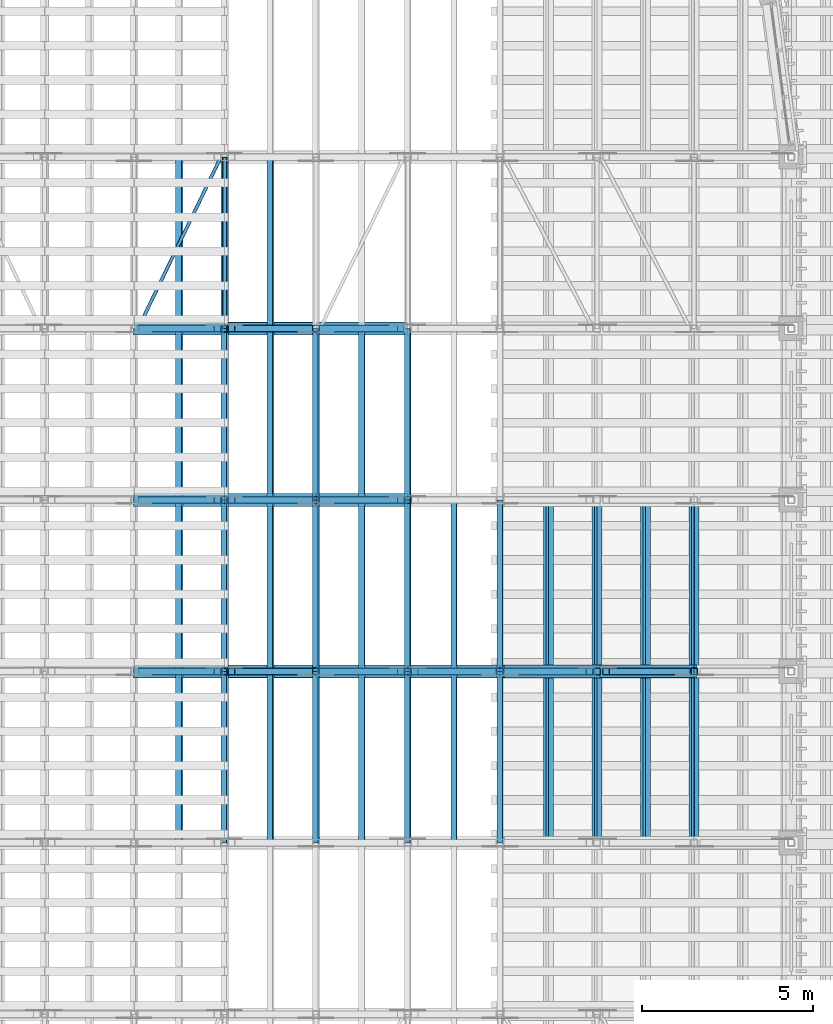
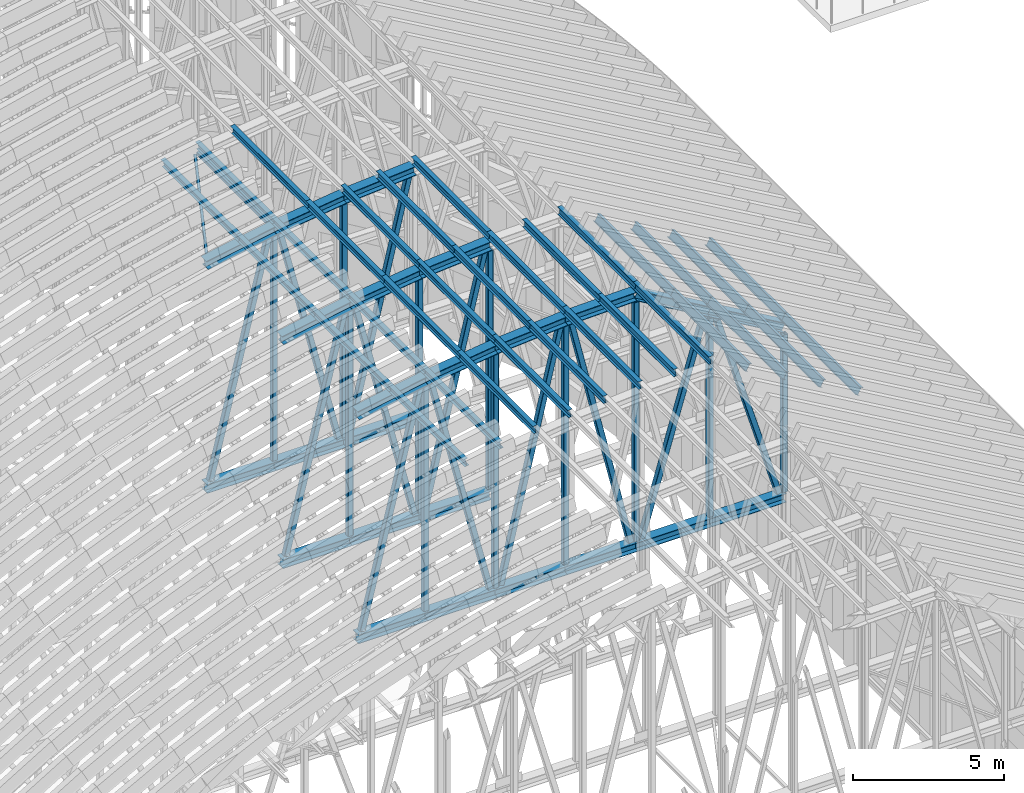
# One storey, part 23 of 105: 82 members.
"""IFC4 building model written with IfcOpenShell, lengths in metres."""

from ifc_helpers import new_model, si_unit, direction, frame, origin, origin_2d, place, context, subcontext, project, spatial, hollow_rectangle, i_section, extrude, material, material_profile, profile_set, type_object, element, save


model = new_model("IFC4")

# Units and contexts
model_context = context("Model", 3, precision=1e-05, world=origin(), true_north=direction((0.0, 1.0)))
body_context = subcontext(model_context, "Body", "Model", "MODEL_VIEW")
ifc_project = project(units=[si_unit("LENGTHUNIT", "METRE"), si_unit("AREAUNIT", "SQUARE_METRE"), si_unit("VOLUMEUNIT", "CUBIC_METRE"), si_unit("PLANEANGLEUNIT", "RADIAN"), si_unit("MASSUNIT", "GRAM", prefix="KILO")], contexts=[model_context])

# Site, building, storey
site_placement = place(None, origin())
site = spatial("IfcSite", under=ifc_project, at=site_placement, CompositionType="ELEMENT")
building_placement = place(site_placement, origin())
building = spatial("IfcBuilding", under=site, at=building_placement, Name="Wasatch Bagh Community Centre", CompositionType="ELEMENT")
storey_placement = place(building_placement, frame((0.0, 0.0, 16.800048828125)))
storey = spatial("IfcBuildingStorey", under=building, at=storey_placement, Name="L04", CompositionType="ELEMENT", Elevation=16.800048828125)

# Members
ifc_material_1 = material(Name="ASTM A500 Grade C steel", Category="steel")
ifc_material_profile_1 = material_profile(ifc_material_1, hollow_rectangle(XDim=0.1015625, YDim=0.1015625, WallThickness=0.005859375, InnerFilletRadius=0.005859375, OuterFilletRadius=0.01171875, at=origin_2d()), Name="HSS4x4x1/4")
ifc_profile_set_1 = profile_set([ifc_material_profile_1], Name="ASTM A500 Grade C steel")
member_type_1 = type_object("IfcMemberType", Name="HSS4x4x1/4 brace", PredefinedType="BRACE", material=ifc_profile_set_1)
member_1_placement = place(storey_placement, frame((35.712890625, 60.031005859375, 16.929931640625), z_axis=(0.433686216835, 0.897548083669, 0.079521712941), x_axis=(-0.900399528263, 0.435064006215, 0.0)))
element("IfcMember", 1, at=member_1_placement, inside=storey, type_object=member_type_1, Name="MH.TA6-TA7.RT.DG09", PredefinedType="BRACE", context=body_context, shape_type="SweptSolid", body=[
    extrude(hollow_rectangle(XDim=0.1015625, YDim=0.1015625, WallThickness=0.005859375, InnerFilletRadius=0.005859375, OuterFilletRadius=0.01171875, at=origin_2d()), origin(), (0.0, 0.0, 1.0), 5.501708984375),
])
ifc_material_profile_2 = material_profile(ifc_material_1, hollow_rectangle(XDim=0.126953125, YDim=0.126953125, WallThickness=0.00732421875, InnerFilletRadius=0.00732421875, OuterFilletRadius=0.0146484375, at=origin_2d()), Name="HSS5x5x5/16")
ifc_profile_set_2 = profile_set([ifc_material_profile_2], Name="ASTM A500 Grade C steel")
member_type_2 = type_object("IfcMemberType", Name="HSS5x5x5/16 strut", PredefinedType="STRUT", material=ifc_profile_set_2)
member_2_placement = place(storey_placement, frame((38.226318359375, 60.00537109375, 17.390869140625), z_axis=(0.0, 1.0, 0.0), x_axis=(-1.0, 0.0, 0.0)))
element("IfcMember", 2, at=member_2_placement, inside=storey, type_object=member_type_2, Name="MH.TA6-TA7.RT.ST09E", PredefinedType="STRUT", context=body_context, shape_type="SweptSolid", body=[
    extrude(hollow_rectangle(XDim=0.126953125, YDim=0.126953125, WallThickness=0.00732421875, InnerFilletRadius=0.00732421875, OuterFilletRadius=0.0146484375, at=origin_2d()), origin(), (0.0, 0.0, 1.0), 4.9892578125),
])
ifc_material_profile_3 = material_profile(ifc_material_1, hollow_rectangle(XDim=0.203125, YDim=0.203125, WallThickness=0.01171875, InnerFilletRadius=0.01171875, OuterFilletRadius=0.023681640625, at=origin_2d()), Name="HSS8x8x1/2")
ifc_profile_set_3 = profile_set([ifc_material_profile_3], Name="ASTM A500 Grade C steel")
member_type_3 = type_object("IfcMemberType", Name="HSS8x8x1/2 post", PredefinedType="POST", material=ifc_profile_set_3)
member_3_placement = place(storey_placement, frame((38.226318359375, 50.0, 8.070556640625), z_axis=(0.0, 0.0, 1.0), x_axis=(1.0, 0.0, 0.0)))
element("IfcMember", 3, at=member_3_placement, inside=storey, type_object=member_type_3, Name="MH.TA4.PS10", PredefinedType="POST", context=body_context, shape_type="SweptSolid", body=[
    extrude(hollow_rectangle(XDim=0.203125, YDim=0.203125, WallThickness=0.01171875, InnerFilletRadius=0.01171875, OuterFilletRadius=0.023681640625, at=origin_2d()), origin(), (0.0, 0.0, 1.0), 9.114013671875),
])
member_4_placement = place(storey_placement, frame((40.88916015625, 50.0, 8.070556640625), z_axis=(0.0, 0.0, 1.0), x_axis=(1.0, 0.0, 0.0)))
element("IfcMember", 4, at=member_4_placement, inside=storey, type_object=member_type_3, Name="MH.TA4.PS11", PredefinedType="POST", context=body_context, shape_type="SweptSolid", body=[
    extrude(hollow_rectangle(XDim=0.203125, YDim=0.203125, WallThickness=0.01171875, InnerFilletRadius=0.01171875, OuterFilletRadius=0.023681640625, at=origin_2d()), origin(), (0.0, 0.0, 1.0), 9.4677734375),
])
member_5_placement = place(storey_placement, frame((43.56591796875, 50.0, 8.070556640625), z_axis=(0.0, 0.0, 1.0), x_axis=(1.0, 0.0, 0.0)))
element("IfcMember", 5, at=member_5_placement, inside=storey, type_object=member_type_3, Name="MH.TA4.PS12", PredefinedType="POST", context=body_context, shape_type="SweptSolid", body=[
    extrude(hollow_rectangle(XDim=0.203125, YDim=0.203125, WallThickness=0.01171875, InnerFilletRadius=0.01171875, OuterFilletRadius=0.023681640625, at=origin_2d()), origin(), (0.0, 0.0, 1.0), 9.6826171875),
])
member_6_placement = place(storey_placement, frame((46.25, 50.0, 8.070556640625), z_axis=(0.0, 0.0, 1.0), x_axis=(1.0, 0.0, 0.0)))
element("IfcMember", 6, at=member_6_placement, inside=storey, type_object=member_type_3, Name="MH.TA4.PS13", PredefinedType="POST", context=body_context, shape_type="SweptSolid", body=[
    extrude(hollow_rectangle(XDim=0.203125, YDim=0.203125, WallThickness=0.01171875, InnerFilletRadius=0.01171875, OuterFilletRadius=0.023681640625, at=origin_2d()), origin(), (0.0, 0.0, 1.0), 9.64501953125),
])
member_7_placement = place(storey_placement, frame((49.083251953125, 50.0, 8.070556640625), z_axis=(0.0, 0.0, 1.0), x_axis=(1.0, 0.0, 0.0)))
element("IfcMember", 7, at=member_7_placement, inside=storey, type_object=member_type_3, Name="MH.TA4.PS14", PredefinedType="POST", context=body_context, shape_type="SweptSolid", body=[
    extrude(hollow_rectangle(XDim=0.203125, YDim=0.203125, WallThickness=0.01171875, InnerFilletRadius=0.01171875, OuterFilletRadius=0.023681640625, at=origin_2d()), origin(), (0.0, 0.0, 1.0), 8.007568359375),
])
member_8_placement = place(storey_placement, frame((51.916748046875, 50.0, 8.070556640625), z_axis=(0.0, 0.0, 1.0), x_axis=(1.0, 0.0, 0.0)))
element("IfcMember", 8, at=member_8_placement, inside=storey, type_object=member_type_3, Name="MH.TA4.PS15", PredefinedType="POST", context=body_context, shape_type="SweptSolid", body=[
    extrude(hollow_rectangle(XDim=0.203125, YDim=0.203125, WallThickness=0.01171875, InnerFilletRadius=0.01171875, OuterFilletRadius=0.023681640625, at=origin_2d()), origin(), (0.0, 0.0, 1.0), 6.34912109375),
])
member_9_placement = place(storey_placement, frame((38.226318359375, 55.0, 8.070556640625), z_axis=(0.0, 0.0, 1.0), x_axis=(1.0, 0.0, 0.0)))
element("IfcMember", 9, at=member_9_placement, inside=storey, type_object=member_type_3, Name="MH.TA5.PS10", PredefinedType="POST", context=body_context, shape_type="SweptSolid", body=[
    extrude(hollow_rectangle(XDim=0.203125, YDim=0.203125, WallThickness=0.01171875, InnerFilletRadius=0.01171875, OuterFilletRadius=0.023681640625, at=origin_2d()), origin(), (0.0, 0.0, 1.0), 9.114013671875),
])
member_10_placement = place(storey_placement, frame((40.88916015625, 55.0, 8.070556640625), z_axis=(0.0, 0.0, 1.0), x_axis=(1.0, 0.0, 0.0)))
element("IfcMember", 10, at=member_10_placement, inside=storey, type_object=member_type_3, Name="MH.TA5.PS11", PredefinedType="POST", context=body_context, shape_type="SweptSolid", body=[
    extrude(hollow_rectangle(XDim=0.203125, YDim=0.203125, WallThickness=0.01171875, InnerFilletRadius=0.01171875, OuterFilletRadius=0.023681640625, at=origin_2d()), origin(), (0.0, 0.0, 1.0), 9.4677734375),
])
member_11_placement = place(storey_placement, frame((43.56591796875, 55.0, 8.070556640625), z_axis=(0.0, 0.0, 1.0), x_axis=(1.0, 0.0, 0.0)))
element("IfcMember", 11, at=member_11_placement, inside=storey, type_object=member_type_3, Name="MH.TA5.PS12", PredefinedType="POST", context=body_context, shape_type="SweptSolid", body=[
    extrude(hollow_rectangle(XDim=0.203125, YDim=0.203125, WallThickness=0.01171875, InnerFilletRadius=0.01171875, OuterFilletRadius=0.023681640625, at=origin_2d()), origin(), (0.0, 0.0, 1.0), 9.6826171875),
])
member_12_placement = place(storey_placement, frame((38.226318359375, 60.0, 8.070556640625), z_axis=(0.0, 0.0, 1.0), x_axis=(1.0, 0.0, 0.0)))
element("IfcMember", 12, at=member_12_placement, inside=storey, type_object=member_type_3, Name="MH.TA6.PS10", PredefinedType="POST", context=body_context, shape_type="SweptSolid", body=[
    extrude(hollow_rectangle(XDim=0.203125, YDim=0.203125, WallThickness=0.01171875, InnerFilletRadius=0.01171875, OuterFilletRadius=0.023681640625, at=origin_2d()), origin(), (0.0, 0.0, 1.0), 9.114013671875),
])
member_13_placement = place(storey_placement, frame((40.88916015625, 60.0, 8.070556640625), z_axis=(0.0, 0.0, 1.0), x_axis=(1.0, 0.0, 0.0)))
element("IfcMember", 13, at=member_13_placement, inside=storey, type_object=member_type_3, Name="MH.TA6.PS11", PredefinedType="POST", context=body_context, shape_type="SweptSolid", body=[
    extrude(hollow_rectangle(XDim=0.203125, YDim=0.203125, WallThickness=0.01171875, InnerFilletRadius=0.01171875, OuterFilletRadius=0.023681640625, at=origin_2d()), origin(), (0.0, 0.0, 1.0), 9.4677734375),
])
ifc_material_profile_4 = material_profile(ifc_material_1, hollow_rectangle(XDim=0.203125, YDim=0.203125, WallThickness=0.0087890625, InnerFilletRadius=0.0087890625, OuterFilletRadius=0.017822265625, at=origin_2d()), Name="HSS8x8x3/8")
ifc_profile_set_4 = profile_set([ifc_material_profile_4], Name="ASTM A500 Grade C steel")
member_type_4 = type_object("IfcMemberType", Name="HSS8x8x3/8 brace", PredefinedType="BRACE", material=ifc_profile_set_4)
member_14_placement = place(storey_placement, frame((35.7900390625, 50.0, 8.095458984375), z_axis=(0.239060955477, 0.0, 0.971004562073), x_axis=(0.0, 1.0, 0.0)))
element("IfcMember", 14, at=member_14_placement, inside=storey, type_object=member_type_4, Name="MH.TA4.WB09", PredefinedType="BRACE", context=body_context, shape_type="SweptSolid", body=[
    extrude(hollow_rectangle(XDim=0.203125, YDim=0.203125, WallThickness=0.0087890625, InnerFilletRadius=0.0087890625, OuterFilletRadius=0.017822265625, at=origin_2d()), origin(), (0.0, 0.0, 1.0), 9.29541015625),
])
member_15_placement = place(storey_placement, frame((40.68408203125, 50.0, 8.095458984375), z_axis=(-0.239967720636, 0.0, 0.97078086768), x_axis=(0.0, -1.0, 0.0)))
element("IfcMember", 15, at=member_15_placement, inside=storey, type_object=member_type_4, Name="MH.TA4.WB10", PredefinedType="BRACE", context=body_context, shape_type="SweptSolid", body=[
    extrude(hollow_rectangle(XDim=0.203125, YDim=0.203125, WallThickness=0.0087890625, InnerFilletRadius=0.0087890625, OuterFilletRadius=0.017822265625, at=origin_2d()), origin(), (0.0, 0.0, 1.0), 9.398681640625),
])
member_16_placement = place(storey_placement, frame((41.09130859375, 50.0, 8.094482421875), z_axis=(0.229488169753, 0.0, 0.973311450638), x_axis=(0.0, 1.0, 0.0)))
element("IfcMember", 16, at=member_16_placement, inside=storey, type_object=member_type_4, Name="MH.TA4.WB11", PredefinedType="BRACE", context=body_context, shape_type="SweptSolid", body=[
    extrude(hollow_rectangle(XDim=0.203125, YDim=0.203125, WallThickness=0.0087890625, InnerFilletRadius=0.0087890625, OuterFilletRadius=0.017822265625, at=origin_2d()), origin(), (0.0, 0.0, 1.0), 9.883056640625),
])
member_17_placement = place(storey_placement, frame((46.047607421875, 50.0, 8.094482421875), z_axis=(-0.229781671389, 0.0, 0.973242201866), x_axis=(0.0, -1.0, 0.0)))
element("IfcMember", 17, at=member_17_placement, inside=storey, type_object=member_type_4, Name="MH.TA4.WB12", PredefinedType="BRACE", context=body_context, shape_type="SweptSolid", body=[
    extrude(hollow_rectangle(XDim=0.203125, YDim=0.203125, WallThickness=0.0087890625, InnerFilletRadius=0.0087890625, OuterFilletRadius=0.017822265625, at=origin_2d()), origin(), (0.0, 0.0, 1.0), 9.916259765625),
])
member_18_placement = place(storey_placement, frame((46.466796875, 50.0, 8.099853515625), z_axis=(0.28291893223, 0.0, 0.959143825391), x_axis=(0.0, 1.0, 0.0)))
element("IfcMember", 18, at=member_18_placement, inside=storey, type_object=member_type_4, Name="MH.TA4.WB13", PredefinedType="BRACE", context=body_context, shape_type="SweptSolid", body=[
    extrude(hollow_rectangle(XDim=0.203125, YDim=0.203125, WallThickness=0.0087890625, InnerFilletRadius=0.0087890625, OuterFilletRadius=0.017822265625, at=origin_2d()), origin(), (0.0, 0.0, 1.0), 8.481689453125),
])
member_19_placement = place(storey_placement, frame((51.698486328125, 50.0, 8.100341796875), z_axis=(-0.28855246331, 0.0, 0.957464085967), x_axis=(0.0, -1.0, 0.0)))
element("IfcMember", 19, at=member_19_placement, inside=storey, type_object=member_type_4, Name="MH.TA4.WB14", PredefinedType="BRACE", context=body_context, shape_type="SweptSolid", body=[
    extrude(hollow_rectangle(XDim=0.203125, YDim=0.203125, WallThickness=0.0087890625, InnerFilletRadius=0.0087890625, OuterFilletRadius=0.017822265625, at=origin_2d()), origin(), (0.0, 0.0, 1.0), 8.142822265625),
])
member_20_placement = place(storey_placement, frame((35.7900390625, 55.0, 8.095458984375), z_axis=(0.239060955477, 0.0, 0.971004562073), x_axis=(0.0, 1.0, 0.0)))
element("IfcMember", 20, at=member_20_placement, inside=storey, type_object=member_type_4, Name="MH.TA5.WB09", PredefinedType="BRACE", context=body_context, shape_type="SweptSolid", body=[
    extrude(hollow_rectangle(XDim=0.203125, YDim=0.203125, WallThickness=0.0087890625, InnerFilletRadius=0.0087890625, OuterFilletRadius=0.017822265625, at=origin_2d()), origin(), (0.0, 0.0, 1.0), 9.29541015625),
])
member_21_placement = place(storey_placement, frame((40.68408203125, 55.0, 8.095458984375), z_axis=(-0.239967720636, 0.0, 0.97078086768), x_axis=(0.0, -1.0, 0.0)))
element("IfcMember", 21, at=member_21_placement, inside=storey, type_object=member_type_4, Name="MH.TA5.WB10", PredefinedType="BRACE", context=body_context, shape_type="SweptSolid", body=[
    extrude(hollow_rectangle(XDim=0.203125, YDim=0.203125, WallThickness=0.0087890625, InnerFilletRadius=0.0087890625, OuterFilletRadius=0.017822265625, at=origin_2d()), origin(), (0.0, 0.0, 1.0), 9.398681640625),
])
member_22_placement = place(storey_placement, frame((41.09130859375, 55.0, 8.094482421875), z_axis=(0.229488169753, 0.0, 0.973311450638), x_axis=(0.0, 1.0, 0.0)))
element("IfcMember", 22, at=member_22_placement, inside=storey, type_object=member_type_4, Name="MH.TA5.WB11", PredefinedType="BRACE", context=body_context, shape_type="SweptSolid", body=[
    extrude(hollow_rectangle(XDim=0.203125, YDim=0.203125, WallThickness=0.0087890625, InnerFilletRadius=0.0087890625, OuterFilletRadius=0.017822265625, at=origin_2d()), origin(), (0.0, 0.0, 1.0), 9.883056640625),
])
member_23_placement = place(storey_placement, frame((35.7900390625, 60.0, 8.095458984375), z_axis=(0.239060955477, 0.0, 0.971004562073), x_axis=(0.0, 1.0, 0.0)))
element("IfcMember", 23, at=member_23_placement, inside=storey, type_object=member_type_4, Name="MH.TA6.WB09", PredefinedType="BRACE", context=body_context, shape_type="SweptSolid", body=[
    extrude(hollow_rectangle(XDim=0.203125, YDim=0.203125, WallThickness=0.0087890625, InnerFilletRadius=0.0087890625, OuterFilletRadius=0.017822265625, at=origin_2d()), origin(), (0.0, 0.0, 1.0), 9.29541015625),
])
member_24_placement = place(storey_placement, frame((40.68408203125, 60.0, 8.095458984375), z_axis=(-0.239967720636, 0.0, 0.97078086768), x_axis=(0.0, -1.0, 0.0)))
element("IfcMember", 24, at=member_24_placement, inside=storey, type_object=member_type_4, Name="MH.TA6.WB10", PredefinedType="BRACE", context=body_context, shape_type="SweptSolid", body=[
    extrude(hollow_rectangle(XDim=0.203125, YDim=0.203125, WallThickness=0.0087890625, InnerFilletRadius=0.0087890625, OuterFilletRadius=0.017822265625, at=origin_2d()), origin(), (0.0, 0.0, 1.0), 9.398681640625),
])
member_25_placement = place(storey_placement, frame((41.09130859375, 60.0, 8.094482421875), z_axis=(0.229488169753, 0.0, 0.973311450638), x_axis=(0.0, 1.0, 0.0)))
element("IfcMember", 25, at=member_25_placement, inside=storey, type_object=member_type_4, Name="MH.TA6.WB11", PredefinedType="BRACE", context=body_context, shape_type="SweptSolid", body=[
    extrude(hollow_rectangle(XDim=0.203125, YDim=0.203125, WallThickness=0.0087890625, InnerFilletRadius=0.0087890625, OuterFilletRadius=0.017822265625, at=origin_2d()), origin(), (0.0, 0.0, 1.0), 9.883056640625),
])
ifc_material_2 = material(Name="ASTM A992 Grade 50 steel", Category="steel")
ifc_material_profile_5 = material_profile(ifc_material_2, i_section(OverallWidth=0.164794921875, OverallDepth=0.309814453125, WebThickness=0.005859375, FlangeThickness=0.009765625, at=origin_2d()), Name="W12x26")
ifc_profile_set_5 = profile_set([ifc_material_profile_5], Name="ASTM A992 Grade 50 steel")
member_type_5 = type_object("IfcMemberType", Name="W12x26 purlin", PredefinedType="PURLIN", material=ifc_profile_set_5)
for number, where, z_axis, x_axis, name in (
    (26, (36.90576171875, 45.0, 17.493408203125), (0.0, 1.0, 0.0), (-0.983711293114, 0.0, -0.179755644695), "MH.TA3-TA4.PU19"),
    (27, (38.226318359375, 45.0, 17.734619140625), (0.0, 1.0, 0.0), (-0.983711293114, 0.0, -0.179755644695), "MH.TA3-TA4.PU20"),
    (28, (39.5576171875, 45.0, 17.90625), (0.0, 1.0, 0.0), (-0.991678342395, 0.0, -0.12874030148), "MH.TA3-TA4.PU21"),
    (29, (40.88916015625, 45.0, 18.0791015625), (0.0, 1.0, 0.0), (-0.991678342395, 0.0, -0.12874030148), "MH.TA3-TA4.PU22"),
    (30, (42.2275390625, 45.0, 18.18212890625), (0.0, 1.0, 0.0), (-0.997001538098, 0.0, -0.077381735761), "MH.TA3-TA4.PU23"),
    (31, (43.56591796875, 45.0, 18.2861328125), (0.0, 1.0, 0.0), (-0.997001538098, 0.0, -0.077381735761), "MH.TA3-TA4.PU24"),
    (32, (44.907958984375, 45.0, 18.3203125), (0.0, 1.0, 0.0), (-0.999666689368, 0.0, -0.025816858198), "MH.TA3-TA4.PU25"),
    (33, (46.25, 45.0, 18.35498046875), (0.0, 1.0, 0.0), (-0.999666689368, 0.0, -0.025816858198), "MH.TA3-TA4.PU26"),
    (34, (47.666748046875, 45.0, 17.56103515625), (0.0, 1.0, 0.0), (-0.866025403784, 0.0, 0.5), "MH.TA3-TA4.PU27"),
    (35, (49.083251953125, 45.0, 16.742919921875), (0.0, 1.0, 0.0), (-0.866025403784, 0.0, 0.5), "MH.TA3-TA4.PU28"),
    (36, (50.5, 45.0, 15.925048828125), (0.0, 1.0, 0.0), (-0.866025403784, 0.0, 0.5), "MH.TA3-TA4.PU29"),
    (37, (51.916748046875, 45.0, 15.107177734375), (0.0, 1.0, 0.0), (-0.866025403784, 0.0, 0.5), "MH.TA3-TA4.PU30"),
    (38, (36.90576171875, 50.0, 17.493408203125), (0.0, 1.0, 0.0), (-0.983711293114, 0.0, -0.179755644695), "MH.TA4-TA5.PU19"),
    (39, (38.226318359375, 50.0, 17.734619140625), (0.0, 1.0, 0.0), (-0.983711293114, 0.0, -0.179755644695), "MH.TA4-TA5.PU20"),
    (40, (39.5576171875, 50.0, 17.90625), (0.0, 1.0, 0.0), (-0.991678342395, 0.0, -0.12874030148), "MH.TA4-TA5.PU21"),
    (41, (40.88916015625, 50.0, 18.0791015625), (0.0, 1.0, 0.0), (-0.991678342395, 0.0, -0.12874030148), "MH.TA4-TA5.PU22"),
    (42, (42.2275390625, 50.0, 18.18212890625), (0.0, 1.0, 0.0), (-0.997001538098, 0.0, -0.077381735761), "MH.TA4-TA5.PU23"),
    (43, (43.56591796875, 50.0, 18.2861328125), (0.0, 1.0, 0.0), (-0.997001538098, 0.0, -0.077381735761), "MH.TA4-TA5.PU24"),
    (44, (44.907958984375, 50.0, 18.3203125), (0.0, 1.0, 0.0), (-0.999666689368, 0.0, -0.025816858198), "MH.TA4-TA5.PU25"),
    (45, (46.25, 50.0, 18.35498046875), (0.0, 1.0, 0.0), (-0.999666689368, 0.0, -0.025816858198), "MH.TA4-TA5.PU26"),
    (46, (47.666748046875, 50.0, 17.56103515625), (0.0, 1.0, 0.0), (-0.866025403784, 0.0, 0.5), "MH.TA4-TA5.PU27"),
    (47, (49.083251953125, 50.0, 16.742919921875), (0.0, 1.0, 0.0), (-0.866025403784, 0.0, 0.5), "MH.TA4-TA5.PU28"),
    (48, (50.5, 50.0, 15.925048828125), (0.0, 1.0, 0.0), (-0.866025403784, 0.0, 0.5), "MH.TA4-TA5.PU29"),
    (49, (51.916748046875, 50.0, 15.107177734375), (0.0, 1.0, 0.0), (-0.866025403784, 0.0, 0.5), "MH.TA4-TA5.PU30"),
    (50, (36.90576171875, 55.0, 17.493408203125), (0.0, 1.0, 0.0), (-0.983711293114, 0.0, -0.179755644695), "MH.TA5-TA6.PU19"),
    (51, (38.226318359375, 55.0, 17.734619140625), (0.0, 1.0, 0.0), (-0.983711293114, 0.0, -0.179755644695), "MH.TA5-TA6.PU20"),
    (52, (39.5576171875, 55.0, 17.90625), (0.0, 1.0, 0.0), (-0.991678342395, 0.0, -0.12874030148), "MH.TA5-TA6.PU21"),
    (53, (40.88916015625, 55.0, 18.0791015625), (0.0, 1.0, 0.0), (-0.991678342395, 0.0, -0.12874030148), "MH.TA5-TA6.PU22"),
    (54, (42.2275390625, 55.0, 18.18212890625), (0.0, 1.0, 0.0), (-0.997001538098, 0.0, -0.077381735761), "MH.TA5-TA6.PU23"),
    (55, (43.56591796875, 55.0, 18.2861328125), (0.0, 1.0, 0.0), (-0.997001538098, 0.0, -0.077381735761), "MH.TA5-TA6.PU24"),
    (56, (36.90576171875, 60.0, 17.493408203125), (0.0, 1.0, 0.0), (-0.983711293114, 0.0, -0.179755644695), "MH.TA6-TA7.PU19"),
    (57, (38.226318359375, 60.0, 17.734619140625), (0.0, 1.0, 0.0), (-0.983711293114, 0.0, -0.179755644695), "MH.TA6-TA7.PU20"),
    (58, (39.5576171875, 60.0, 17.90625), (0.0, 1.0, 0.0), (-0.991678342395, 0.0, -0.12874030148), "MH.TA6-TA7.PU21"),
):
    element("IfcMember", number, at=place(storey_placement, frame(where, z_axis=z_axis, x_axis=x_axis)), inside=storey, type_object=member_type_5, Name=name, PredefinedType="PURLIN", context=body_context, shape_type="SweptSolid", body=[
        extrude(i_section(OverallWidth=0.164794921875, OverallDepth=0.309814453125, WebThickness=0.005859375, FlangeThickness=0.009765625, at=origin_2d()), origin(), (0.0, 0.0, 1.0), 5.0),
    ])
ifc_material_profile_6 = material_profile(ifc_material_2, i_section(OverallWidth=0.373291015625, OverallDepth=0.368408203125, WebThickness=0.014892578125, FlangeThickness=0.02392578125, at=origin_2d()), Name="W14x120")
ifc_profile_set_6 = profile_set([ifc_material_profile_6], Name="ASTM A992 Grade 50 steel")
member_type_6 = type_object("IfcMemberType", Name="W14x120 chord", PredefinedType="CHORD", material=ifc_profile_set_6)
member_26_placement = place(storey_placement, frame((35.59033203125, 50.0, 16.907470703125), z_axis=(0.983600080767, 0.0, 0.180363192242), x_axis=(0.0, 1.0, 0.0)))
element("IfcMember", 59, at=member_26_placement, inside=storey, type_object=member_type_6, Name="MH.TA4.TC11", PredefinedType="CHORD", context=body_context, shape_type="SweptSolid", body=[
    extrude(i_section(OverallWidth=0.373291015625, OverallDepth=0.368408203125, WebThickness=0.014892578125, FlangeThickness=0.02392578125, at=origin_2d()), origin(), (0.0, 0.0, 1.0), 2.6748046875),
])
member_27_placement = place(storey_placement, frame((38.231689453125, 50.0, 17.3916015625), z_axis=(0.991622793243, 0.0, 0.129167472378), x_axis=(0.0, 1.0, 0.0)))
element("IfcMember", 60, at=member_27_placement, inside=storey, type_object=member_type_6, Name="MH.TA4.TC12", PredefinedType="CHORD", context=body_context, shape_type="SweptSolid", body=[
    extrude(i_section(OverallWidth=0.373291015625, OverallDepth=0.368408203125, WebThickness=0.014892578125, FlangeThickness=0.02392578125, at=origin_2d()), origin(), (0.0, 0.0, 1.0), 2.674560546875),
])
member_28_placement = place(storey_placement, frame((40.894287109375, 50.0, 17.738037109375), z_axis=(0.996977738737, 0.0, 0.077687762628), x_axis=(0.0, 1.0, 0.0)))
element("IfcMember", 61, at=member_28_placement, inside=storey, type_object=member_type_6, Name="MH.TA4.TC13", PredefinedType="CHORD", context=body_context, shape_type="SweptSolid", body=[
    extrude(i_section(OverallWidth=0.373291015625, OverallDepth=0.368408203125, WebThickness=0.014892578125, FlangeThickness=0.02392578125, at=origin_2d()), origin(), (0.0, 0.0, 1.0), 2.67431640625),
])
member_29_placement = place(storey_placement, frame((43.571533203125, 50.0, 17.9462890625), z_axis=(0.999716831717, 0.0, 0.023796142159), x_axis=(0.0, 1.0, 0.0)))
element("IfcMember", 62, at=member_29_placement, inside=storey, type_object=member_type_6, Name="MH.TA4.TC14", PredefinedType="CHORD", context=body_context, shape_type="SweptSolid", body=[
    extrude(i_section(OverallWidth=0.373291015625, OverallDepth=0.368408203125, WebThickness=0.014892578125, FlangeThickness=0.02392578125, at=origin_2d()), origin(), (0.0, 0.0, 1.0), 2.62646484375),
])
member_30_placement = place(storey_placement, frame((46.295654296875, 50.0, 17.9833984375), z_axis=(0.863012861472, 0.0, -0.505181948345), x_axis=(0.0, 1.0, 0.0)))
element("IfcMember", 63, at=member_30_placement, inside=storey, type_object=member_type_6, Name="MH.TA4.TC15", PredefinedType="CHORD", context=body_context, shape_type="SweptSolid", body=[
    extrude(i_section(OverallWidth=0.373291015625, OverallDepth=0.368408203125, WebThickness=0.014892578125, FlangeThickness=0.02392578125, at=origin_2d()), origin(), (0.0, 0.0, 1.0), 3.229248046875),
])
member_31_placement = place(storey_placement, frame((49.084228515625, 50.0, 16.35107421875), z_axis=(0.866001581989, 0.0, -0.50004125829), x_axis=(0.0, 1.0, 0.0)))
element("IfcMember", 64, at=member_31_placement, inside=storey, type_object=member_type_6, Name="MH.TA4.TC16", PredefinedType="CHORD", context=body_context, shape_type="SweptSolid", body=[
    extrude(i_section(OverallWidth=0.373291015625, OverallDepth=0.368408203125, WebThickness=0.014892578125, FlangeThickness=0.02392578125, at=origin_2d()), origin(), (0.0, 0.0, 1.0), 3.270263671875),
])
member_32_placement = place(storey_placement, frame((35.59033203125, 55.0, 16.907470703125), z_axis=(0.983600080767, 0.0, 0.180363192242), x_axis=(0.0, 1.0, 0.0)))
element("IfcMember", 65, at=member_32_placement, inside=storey, type_object=member_type_6, Name="MH.TA5.TC11", PredefinedType="CHORD", context=body_context, shape_type="SweptSolid", body=[
    extrude(i_section(OverallWidth=0.373291015625, OverallDepth=0.368408203125, WebThickness=0.014892578125, FlangeThickness=0.02392578125, at=origin_2d()), origin(), (0.0, 0.0, 1.0), 2.6748046875),
])
member_33_placement = place(storey_placement, frame((38.231689453125, 55.0, 17.3916015625), z_axis=(0.991622793243, 0.0, 0.129167472378), x_axis=(0.0, 1.0, 0.0)))
element("IfcMember", 66, at=member_33_placement, inside=storey, type_object=member_type_6, Name="MH.TA5.TC12", PredefinedType="CHORD", context=body_context, shape_type="SweptSolid", body=[
    extrude(i_section(OverallWidth=0.373291015625, OverallDepth=0.368408203125, WebThickness=0.014892578125, FlangeThickness=0.02392578125, at=origin_2d()), origin(), (0.0, 0.0, 1.0), 2.674560546875),
])
member_34_placement = place(storey_placement, frame((40.894287109375, 55.0, 17.738037109375), z_axis=(0.996977738737, 0.0, 0.077687762628), x_axis=(0.0, 1.0, 0.0)))
element("IfcMember", 67, at=member_34_placement, inside=storey, type_object=member_type_6, Name="MH.TA5.TC13", PredefinedType="CHORD", context=body_context, shape_type="SweptSolid", body=[
    extrude(i_section(OverallWidth=0.373291015625, OverallDepth=0.368408203125, WebThickness=0.014892578125, FlangeThickness=0.02392578125, at=origin_2d()), origin(), (0.0, 0.0, 1.0), 2.67431640625),
])
member_35_placement = place(storey_placement, frame((35.59033203125, 60.0, 16.907470703125), z_axis=(0.983600080767, 0.0, 0.180363192242), x_axis=(0.0, 1.0, 0.0)))
element("IfcMember", 68, at=member_35_placement, inside=storey, type_object=member_type_6, Name="MH.TA6.TC11", PredefinedType="CHORD", context=body_context, shape_type="SweptSolid", body=[
    extrude(i_section(OverallWidth=0.373291015625, OverallDepth=0.368408203125, WebThickness=0.014892578125, FlangeThickness=0.02392578125, at=origin_2d()), origin(), (0.0, 0.0, 1.0), 2.6748046875),
])
member_36_placement = place(storey_placement, frame((38.231689453125, 60.0, 17.3916015625), z_axis=(0.991622793243, 0.0, 0.129167472378), x_axis=(0.0, 1.0, 0.0)))
element("IfcMember", 69, at=member_36_placement, inside=storey, type_object=member_type_6, Name="MH.TA6.TC12", PredefinedType="CHORD", context=body_context, shape_type="SweptSolid", body=[
    extrude(i_section(OverallWidth=0.373291015625, OverallDepth=0.368408203125, WebThickness=0.014892578125, FlangeThickness=0.02392578125, at=origin_2d()), origin(), (0.0, 0.0, 1.0), 2.674560546875),
])
member_37_placement = place(storey_placement, frame((40.894287109375, 60.0, 17.738037109375), z_axis=(0.996977738737, 0.0, 0.077687762628), x_axis=(0.0, 1.0, 0.0)))
element("IfcMember", 70, at=member_37_placement, inside=storey, type_object=member_type_6, Name="MH.TA6.TC13", PredefinedType="CHORD", context=body_context, shape_type="SweptSolid", body=[
    extrude(i_section(OverallWidth=0.373291015625, OverallDepth=0.368408203125, WebThickness=0.014892578125, FlangeThickness=0.02392578125, at=origin_2d()), origin(), (0.0, 0.0, 1.0), 2.67431640625),
])
ifc_material_profile_7 = material_profile(ifc_material_2, i_section(OverallWidth=0.368408203125, OverallDepth=0.355712890625, WebThickness=0.01123046875, FlangeThickness=0.01806640625, at=origin_2d()), Name="W14x90")
ifc_profile_set_7 = profile_set([ifc_material_profile_7], Name="ASTM A992 Grade 50 steel")
member_type_7 = type_object("IfcMemberType", Name="W14x90 chord", PredefinedType="CHORD", material=ifc_profile_set_7)
member_38_placement = place(storey_placement, frame((35.585205078125, 50.0, 7.892822265625), z_axis=(1.0, 0.0, 0.0), x_axis=(0.0, 1.0, 0.0)))
element("IfcMember", 71, at=member_38_placement, inside=storey, type_object=member_type_7, Name="MH.TA4.BC09", PredefinedType="CHORD", context=body_context, shape_type="SweptSolid", body=[
    extrude(i_section(OverallWidth=0.368408203125, OverallDepth=0.355712890625, WebThickness=0.01123046875, FlangeThickness=0.01806640625, at=origin_2d()), origin(), (0.0, 0.0, 1.0), 2.64111328125),
])
member_39_placement = place(storey_placement, frame((38.226318359375, 50.0, 7.892822265625), z_axis=(1.0, 0.0, 0.0), x_axis=(0.0, 1.0, 0.0)))
element("IfcMember", 72, at=member_39_placement, inside=storey, type_object=member_type_7, Name="MH.TA4.BC10", PredefinedType="CHORD", context=body_context, shape_type="SweptSolid", body=[
    extrude(i_section(OverallWidth=0.368408203125, OverallDepth=0.355712890625, WebThickness=0.01123046875, FlangeThickness=0.01806640625, at=origin_2d()), origin(), (0.0, 0.0, 1.0), 2.662841796875),
])
member_40_placement = place(storey_placement, frame((40.88916015625, 50.0, 7.892822265625), z_axis=(1.0, 0.0, 0.0), x_axis=(0.0, 1.0, 0.0)))
element("IfcMember", 73, at=member_40_placement, inside=storey, type_object=member_type_7, Name="MH.TA4.BC11", PredefinedType="CHORD", context=body_context, shape_type="SweptSolid", body=[
    extrude(i_section(OverallWidth=0.368408203125, OverallDepth=0.355712890625, WebThickness=0.01123046875, FlangeThickness=0.01806640625, at=origin_2d()), origin(), (0.0, 0.0, 1.0), 2.6767578125),
])
member_41_placement = place(storey_placement, frame((43.56591796875, 50.0, 7.892822265625), z_axis=(1.0, 0.0, 0.0), x_axis=(0.0, 1.0, 0.0)))
element("IfcMember", 74, at=member_41_placement, inside=storey, type_object=member_type_7, Name="MH.TA4.BC12", PredefinedType="CHORD", context=body_context, shape_type="SweptSolid", body=[
    extrude(i_section(OverallWidth=0.368408203125, OverallDepth=0.355712890625, WebThickness=0.01123046875, FlangeThickness=0.01806640625, at=origin_2d()), origin(), (0.0, 0.0, 1.0), 2.68408203125),
])
member_42_placement = place(storey_placement, frame((46.25, 50.0, 7.892822265625), z_axis=(1.0, 0.0, 0.0), x_axis=(0.0, 1.0, 0.0)))
element("IfcMember", 75, at=member_42_placement, inside=storey, type_object=member_type_7, Name="MH.TA4.BC13", PredefinedType="CHORD", context=body_context, shape_type="SweptSolid", body=[
    extrude(i_section(OverallWidth=0.368408203125, OverallDepth=0.355712890625, WebThickness=0.01123046875, FlangeThickness=0.01806640625, at=origin_2d()), origin(), (0.0, 0.0, 1.0), 2.833251953125),
])
member_43_placement = place(storey_placement, frame((49.083251953125, 50.0, 7.892822265625), z_axis=(1.0, 0.0, 0.0), x_axis=(0.0, 1.0, 0.0)))
element("IfcMember", 76, at=member_43_placement, inside=storey, type_object=member_type_7, Name="MH.TA4.BC14", PredefinedType="CHORD", context=body_context, shape_type="SweptSolid", body=[
    extrude(i_section(OverallWidth=0.368408203125, OverallDepth=0.355712890625, WebThickness=0.01123046875, FlangeThickness=0.01806640625, at=origin_2d()), origin(), (0.0, 0.0, 1.0), 2.83349609375),
])
member_44_placement = place(storey_placement, frame((35.585205078125, 55.0, 7.892822265625), z_axis=(1.0, 0.0, 0.0), x_axis=(0.0, 1.0, 0.0)))
element("IfcMember", 77, at=member_44_placement, inside=storey, type_object=member_type_7, Name="MH.TA5.BC09", PredefinedType="CHORD", context=body_context, shape_type="SweptSolid", body=[
    extrude(i_section(OverallWidth=0.368408203125, OverallDepth=0.355712890625, WebThickness=0.01123046875, FlangeThickness=0.01806640625, at=origin_2d()), origin(), (0.0, 0.0, 1.0), 2.64111328125),
])
member_45_placement = place(storey_placement, frame((38.226318359375, 55.0, 7.892822265625), z_axis=(1.0, 0.0, 0.0), x_axis=(0.0, 1.0, 0.0)))
element("IfcMember", 78, at=member_45_placement, inside=storey, type_object=member_type_7, Name="MH.TA5.BC10", PredefinedType="CHORD", context=body_context, shape_type="SweptSolid", body=[
    extrude(i_section(OverallWidth=0.368408203125, OverallDepth=0.355712890625, WebThickness=0.01123046875, FlangeThickness=0.01806640625, at=origin_2d()), origin(), (0.0, 0.0, 1.0), 2.662841796875),
])
member_46_placement = place(storey_placement, frame((40.88916015625, 55.0, 7.892822265625), z_axis=(1.0, 0.0, 0.0), x_axis=(0.0, 1.0, 0.0)))
element("IfcMember", 79, at=member_46_placement, inside=storey, type_object=member_type_7, Name="MH.TA5.BC11", PredefinedType="CHORD", context=body_context, shape_type="SweptSolid", body=[
    extrude(i_section(OverallWidth=0.368408203125, OverallDepth=0.355712890625, WebThickness=0.01123046875, FlangeThickness=0.01806640625, at=origin_2d()), origin(), (0.0, 0.0, 1.0), 2.6767578125),
])
member_47_placement = place(storey_placement, frame((35.585205078125, 60.0, 7.892822265625), z_axis=(1.0, 0.0, 0.0), x_axis=(0.0, 1.0, 0.0)))
element("IfcMember", 80, at=member_47_placement, inside=storey, type_object=member_type_7, Name="MH.TA6.BC09", PredefinedType="CHORD", context=body_context, shape_type="SweptSolid", body=[
    extrude(i_section(OverallWidth=0.368408203125, OverallDepth=0.355712890625, WebThickness=0.01123046875, FlangeThickness=0.01806640625, at=origin_2d()), origin(), (0.0, 0.0, 1.0), 2.64111328125),
])
member_48_placement = place(storey_placement, frame((38.226318359375, 60.0, 7.892822265625), z_axis=(1.0, 0.0, 0.0), x_axis=(0.0, 1.0, 0.0)))
element("IfcMember", 81, at=member_48_placement, inside=storey, type_object=member_type_7, Name="MH.TA6.BC10", PredefinedType="CHORD", context=body_context, shape_type="SweptSolid", body=[
    extrude(i_section(OverallWidth=0.368408203125, OverallDepth=0.355712890625, WebThickness=0.01123046875, FlangeThickness=0.01806640625, at=origin_2d()), origin(), (0.0, 0.0, 1.0), 2.662841796875),
])
member_49_placement = place(storey_placement, frame((40.88916015625, 60.0, 7.892822265625), z_axis=(1.0, 0.0, 0.0), x_axis=(0.0, 1.0, 0.0)))
element("IfcMember", 82, at=member_49_placement, inside=storey, type_object=member_type_7, Name="MH.TA6.BC11", PredefinedType="CHORD", context=body_context, shape_type="SweptSolid", body=[
    extrude(i_section(OverallWidth=0.368408203125, OverallDepth=0.355712890625, WebThickness=0.01123046875, FlangeThickness=0.01806640625, at=origin_2d()), origin(), (0.0, 0.0, 1.0), 2.6767578125),
])

save(model, "model.ifc")
